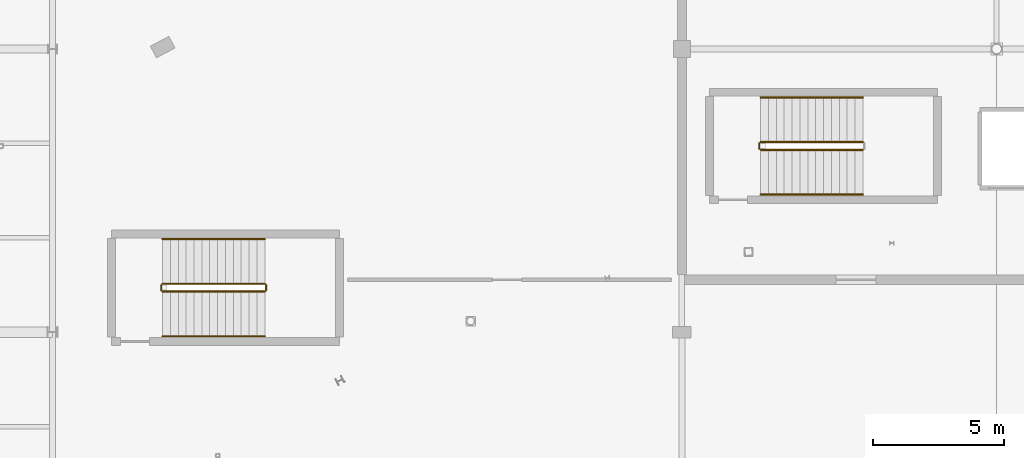
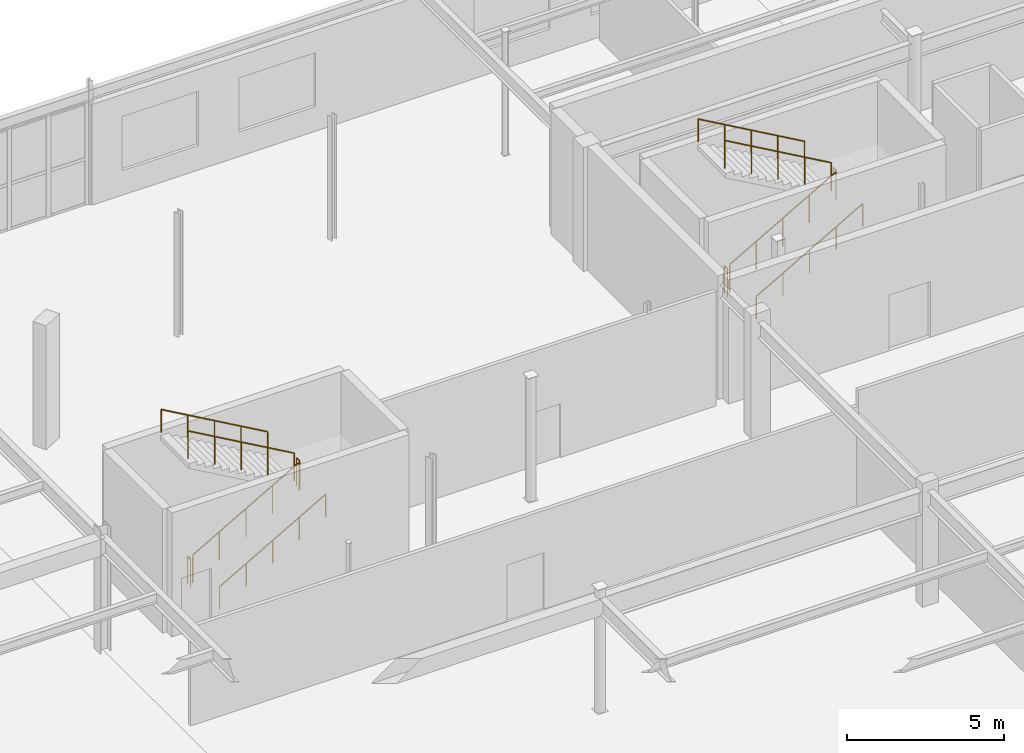
# One storey, part 185 of 199: 11 railings.
"""IFC4 building model written with IfcOpenShell, lengths in metres."""

import ifcopenshell
import ifcopenshell.guid

model = None  # the IFC model being written
_history = None  # IfcOwnerHistory: only IFC2X3 demands one
_inside = {}  # id of a spatial element -> (the spatial element, [elements in it])
_under = {}  # id of a project, library or spatial element -> (it, [spatial elements below it])
_declared = {}  # id of a project -> (the project, [libraries it declares])
_typed = {}  # id of a type object -> (the type object, [elements of that type])
_made_of = {}  # id of a material, layer set ... -> (it, [elements and type objects made of it])


def new_model(schema):
    """Start an empty IFC model of exactly this schema.

    Asked for "IFC4X3", IfcOpenShell would pick the latest addendum, in which some entities
    have other attributes; the version numbers below select the first issue.
    IFC2X3 requires an IfcOwnerHistory on every rooted entity: one is made here for all.
    """
    global model, _history
    if schema == "IFC4X3":
        model = ifcopenshell.file(schema_version=(4, 3, 0, 0))
    else:
        model = ifcopenshell.file(schema=schema)
    _inside.clear()
    _under.clear()
    _declared.clear()
    _typed.clear()
    _made_of.clear()
    _history = None
    if model.schema == "IFC2X3":
        org = make("IfcOrganization", Name="unknown")
        user = make(
            "IfcPersonAndOrganization",
            ThePerson=make("IfcPerson", FamilyName="unknown"),
            TheOrganization=org,
        )
        app = make(
            "IfcApplication",
            ApplicationDeveloper=org,
            Version="unknown",
            ApplicationFullName="unknown",
            ApplicationIdentifier="unknown",
        )
        _history = make(
            "IfcOwnerHistory",
            OwningUser=user,
            OwningApplication=app,
            ChangeAction="ADDED",
            CreationDate=0,
        )
    return model


def make(cls, **values):
    """One entity of the class cls with the attributes given. An attribute that is None is left unset."""
    return model.create_entity(
        cls, **{name: value for name, value in values.items() if value is not None}
    )


def rooted(cls, **values):
    """An entity with a GlobalId (a new one), such as an element, a storey or a relation."""
    return make(cls, GlobalId=ifcopenshell.guid.new(), OwnerHistory=_history, **values)


def si_unit(unit_type, name, prefix=None):
    """IfcSIUnit, for example si_unit("LENGTHUNIT", "METRE", prefix="MILLI")."""
    return make("IfcSIUnit", UnitType=unit_type, Prefix=prefix, Name=name)


def assignment(units):
    """IfcUnitAssignment: the units of a project."""
    return None if units is None else make("IfcUnitAssignment", Units=units)


def point(xyz):
    """IfcCartesianPoint."""
    return None if xyz is None else make("IfcCartesianPoint", Coordinates=xyz)


def direction(xyz):
    """IfcDirection."""
    return None if xyz is None else make("IfcDirection", DirectionRatios=xyz)


def frame(location, z_axis=None, x_axis=None):
    """IfcAxis2Placement3D, a coordinate frame: its origin and axes. An axis left out is left unset."""
    return make(
        "IfcAxis2Placement3D",
        Location=point(location),
        Axis=direction(z_axis),
        RefDirection=direction(x_axis),
    )


def frame_2d(location, x_axis=None):
    """IfcAxis2Placement2D, a coordinate frame in the plane: its origin and x axis."""
    return make(
        "IfcAxis2Placement2D", Location=point(location), RefDirection=direction(x_axis)
    )


def origin():
    """The frame at (0, 0, 0) with its axes left unset."""
    return frame((0.0, 0.0, 0.0))


def origin_2d():
    """The frame at (0, 0) in the plane with its x axis left unset."""
    return frame_2d((0.0, 0.0))


def place(relative_to, where):
    """IfcLocalPlacement: puts the frame where relative to a parent placement (None: the world)."""
    return make(
        "IfcLocalPlacement", PlacementRelTo=relative_to, RelativePlacement=where
    )


def context(
    kind, dimensions, precision=None, world=None, true_north=None, identifier=None
):
    """IfcGeometricRepresentationContext, for example the 3D "Model" context."""
    return make(
        "IfcGeometricRepresentationContext",
        ContextIdentifier=identifier,
        ContextType=kind,
        CoordinateSpaceDimension=dimensions,
        Precision=precision,
        WorldCoordinateSystem=world,
        TrueNorth=true_north,
    )


def subcontext(parent, identifier, kind, view, scale=None):
    """IfcGeometricRepresentationSubContext, for example "Body" below "Model"."""
    return make(
        "IfcGeometricRepresentationSubContext",
        ContextIdentifier=identifier,
        ContextType=kind,
        ParentContext=parent,
        TargetScale=scale,
        TargetView=view,
    )


def project(units=None, contexts=None):
    """IfcProject with its units and contexts."""
    return rooted(
        "IfcProject",
        Name="project",
        RepresentationContexts=contexts,
        UnitsInContext=assignment(units),
    )


def spatial(cls, under=None, at=None, **own):
    """A site, building, storey or space (cls), placed at a placement, below another one or the project."""
    s = rooted(cls, ObjectPlacement=at, **own)
    if under is not None:
        _under.setdefault(under.id(), (under, []))[1].append(s)
    return s


def profile(cls, at=None, kind="AREA", **sizes):
    """A parametric profile (cls). Its sizes go by their IFC names, for example OverallWidth=200.0."""
    return make(cls, ProfileType=kind, Position=at, **sizes)


def circle(**sizes):
    """IfcCircleProfileDef."""
    return profile("IfcCircleProfileDef", **sizes)


def extrude(swept, where, along, depth):
    """IfcExtrudedAreaSolid: the profile swept, set in the frame where, extruded along a direction by depth."""
    return make(
        "IfcExtrudedAreaSolid",
        SweptArea=swept,
        Position=where,
        ExtrudedDirection=direction(along),
        Depth=depth,
    )


def shape(context_of_items, identifier, shape_type, items):
    """IfcShapeRepresentation: the items that make up one representation, for example the "Body"."""
    return make(
        "IfcShapeRepresentation",
        ContextOfItems=context_of_items,
        RepresentationIdentifier=identifier,
        RepresentationType=shape_type,
        Items=items,
    )


def material(Name=None, Category=None):
    """IfcMaterial."""
    return make("IfcMaterial", Name=Name, Category=Category)


def made_of(thing, what):
    """Note that an element or type object is made of a material, layer set ...; save() writes the relation."""
    if what is not None:
        _made_of.setdefault(what.id(), (what, []))[1].append(thing)
    return thing


def type_object(cls, material=None, **own):
    """A type object (cls), such as IfcWallType, which elements share."""
    return made_of(rooted(cls, **own), material)


def element(
    cls,
    number,
    at=None,
    inside=None,
    cuts=None,
    type_object=None,
    material=None,
    context=None,
    identifier="Body",
    shape_type=None,
    held_by="IfcProductDefinitionShape",
    body=None,
    shapes=None,
    **own,
):
    """One element of the class cls, such as IfcWall. Its Tag is "e" and its number.

    at: its placement. inside: the storey or other place that contains it. cuts: it is an
    opening in that element (IfcRelVoidsElement). A single representation is given by context,
    identifier, shape_type and body (its items); several are given by shapes. held_by: the class
    of the entity that holds the representations. save() writes the other relations.
    """
    e = rooted(cls, Tag="e%d" % number, ObjectPlacement=at, **own)
    if body is not None:
        shapes = [shape(context, identifier, shape_type, body)]
    if shapes is not None:
        e.Representation = make(held_by, Representations=shapes)
    if inside is not None:
        _inside.setdefault(inside.id(), (inside, []))[1].append(e)
    if cuts is not None:
        rooted(
            "IfcRelVoidsElement", RelatingBuildingElement=cuts, RelatedOpeningElement=e
        )
    if type_object is not None:
        _typed.setdefault(type_object.id(), (type_object, []))[1].append(e)
    return made_of(e, material)


def aggregate(whole, parts):
    """IfcRelAggregates: a whole, such as a stair, and the parts it consists of."""
    return rooted("IfcRelAggregates", RelatingObject=whole, RelatedObjects=parts)


def save(model, path):
    """Write the relations noted so far, then the file.

    IfcRelAggregates (storeys below a building ...), IfcRelContainedInSpatialStructure (elements
    in a storey), IfcRelDefinesByType, IfcRelAssociatesMaterial and IfcRelDeclares: one each for
    every whole, place, type object, material and project.
    """
    for whole, parts in _under.values():
        aggregate(whole, parts)
    for where, things in _inside.values():
        rooted(
            "IfcRelContainedInSpatialStructure",
            RelatedElements=things,
            RelatingStructure=where,
        )
    for kind, things in _typed.values():
        rooted("IfcRelDefinesByType", RelatedObjects=things, RelatingType=kind)
    for what, things in _made_of.values():
        rooted("IfcRelAssociatesMaterial", RelatedObjects=things, RelatingMaterial=what)
    for by, libraries in _declared.values():
        rooted("IfcRelDeclares", RelatingContext=by, RelatedDefinitions=libraries)
    model.write(path)


model = new_model("IFC4")

# Units and contexts
model_context = context("Model", 3, precision=1e-05, world=origin(), true_north=direction((0.0, 1.0)))
body_context = subcontext(model_context, "Body", "Model", "MODEL_VIEW")
ifc_project = project(units=[si_unit("LENGTHUNIT", "METRE"), si_unit("AREAUNIT", "SQUARE_METRE"), si_unit("VOLUMEUNIT", "CUBIC_METRE"), si_unit("PLANEANGLEUNIT", "RADIAN"), si_unit("MASSUNIT", "GRAM", prefix="KILO")], contexts=[model_context])

# Site, building, storey
site_placement = place(None, origin())
site = spatial("IfcSite", under=ifc_project, at=site_placement, CompositionType="ELEMENT")
building_placement = place(site_placement, origin())
building = spatial("IfcBuilding", under=site, at=building_placement, Name="Tarnwether General Hospital", CompositionType="ELEMENT")
storey_placement = place(building_placement, origin())
storey = spatial("IfcBuildingStorey", under=building, at=storey_placement, Name="L00", CompositionType="ELEMENT", Elevation=0.0)

# Railings
ifc_material_1 = material(Name="Anodised aluminium", Category="aluminium")
railing_type_1 = type_object("IfcRailingType", Name="RL-GRD-INT", PredefinedType="GUARDRAIL", material=ifc_material_1)
railing_1_placement = place(storey_placement, frame((87.0, 111.35009765625, 0.17138671875)))
element("IfcRailing", 1, at=railing_1_placement, inside=storey, type_object=railing_type_1, Name="L00 ST-01 stair guard 1", PredefinedType="GUARDRAIL", context=body_context, shape_type="SweptSolid", body=[
    extrude(circle(Radius=0.02392578125, at=origin_2d()), frame((0.0, 0.0, 1.076171875), z_axis=(0.868243142124, 0.0, 0.496138938357), x_axis=(0.0, 1.0, 0.0)), (0.0, 0.0, 1.0), 4.49169921875),
    extrude(circle(Radius=0.02099609375, at=origin_2d()), origin(), (0.0, 0.0, 1.0), 1.052001953125),
    extrude(circle(Radius=0.02099609375, at=origin_2d()), frame((0.97509765625, 0.0, 0.55712890625)), (0.0, 0.0, 1.0), 1.052001953125),
    extrude(circle(Radius=0.02099609375, at=origin_2d()), frame((1.949951171875, 0.0, 1.1142578125)), (0.0, 0.0, 1.0), 1.052001953125),
    extrude(circle(Radius=0.02099609375, at=origin_2d()), frame((2.9248046875, 0.0, 1.67138671875)), (0.0, 0.0, 1.0), 1.052001953125),
    extrude(circle(Radius=0.02099609375, at=origin_2d()), frame((3.89990234375, 0.0, 2.228515625)), (0.0, 0.0, 1.0), 1.052001953125),
])
railing_2_placement = place(storey_placement, frame((90.89990234375, 111.64990234375, 2.571533203125)))
element("IfcRailing", 2, at=railing_2_placement, inside=storey, type_object=railing_type_1, Name="L00 ST-01 stair guard 3", PredefinedType="GUARDRAIL", context=body_context, shape_type="SweptSolid", body=[
    extrude(circle(Radius=0.02392578125, at=origin_2d()), frame((0.0, 0.0, 1.076171875), z_axis=(-0.868243142124, 0.0, 0.496138938357), x_axis=(0.0, -1.0, 0.0)), (0.0, 0.0, 1.0), 4.49169921875),
    extrude(circle(Radius=0.02099609375, at=origin_2d()), origin(), (0.0, 0.0, 1.0), 1.052001953125),
    extrude(circle(Radius=0.02099609375, at=origin_2d()), frame((-0.97509765625, 0.0, 0.55712890625)), (0.0, 0.0, 1.0), 1.052001953125),
    extrude(circle(Radius=0.02099609375, at=origin_2d()), frame((-1.949951171875, 0.0, 1.1142578125)), (0.0, 0.0, 1.0), 1.052001953125),
    extrude(circle(Radius=0.02099609375, at=origin_2d()), frame((-2.9248046875, 0.0, 1.67138671875)), (0.0, 0.0, 1.0), 1.052001953125),
    extrude(circle(Radius=0.02099609375, at=origin_2d()), frame((-3.89990234375, 0.0, 2.228515625)), (0.0, 0.0, 1.0), 1.052001953125),
])
railing_3_placement = place(storey_placement, frame((86.949951171875, 111.39990234375, 0.0)))
element("IfcRailing", 3, at=railing_3_placement, inside=storey, type_object=railing_type_1, Name="L00 ST-01 stair guard 4", PredefinedType="GUARDRAIL", context=body_context, shape_type="SweptSolid", body=[
    extrude(circle(Radius=0.02392578125, at=origin_2d()), frame((0.0, 0.0, 1.076171875), z_axis=(0.0, 1.0, 0.0), x_axis=(-1.0, 0.0, 0.0)), (0.0, 0.0, 1.0), 0.2001953125),
    extrude(circle(Radius=0.02099609375, at=origin_2d()), origin(), (0.0, 0.0, 1.0), 1.052001953125),
    extrude(circle(Radius=0.02099609375, at=origin_2d()), frame((0.0, 0.2001953125, 0.0)), (0.0, 0.0, 1.0), 1.052001953125),
])
railing_4_placement = place(storey_placement, frame((64.199951171875, 105.949951171875, 0.17138671875)))
element("IfcRailing", 4, at=railing_4_placement, inside=storey, type_object=railing_type_1, Name="L00 ST-07 stair guard 1", PredefinedType="GUARDRAIL", context=body_context, shape_type="SweptSolid", body=[
    extrude(circle(Radius=0.02392578125, at=origin_2d()), frame((0.0, 0.0, 1.076171875), z_axis=(0.868256520506, 0.0, 0.496115525457), x_axis=(0.0, 1.0, 0.0)), (0.0, 0.0, 1.0), 4.491943359375),
    extrude(circle(Radius=0.02099609375, at=origin_2d()), origin(), (0.0, 0.0, 1.0), 1.052001953125),
    extrude(circle(Radius=0.02099609375, at=origin_2d()), frame((0.97509765625, 0.0, 0.55712890625)), (0.0, 0.0, 1.0), 1.052001953125),
    extrude(circle(Radius=0.02099609375, at=origin_2d()), frame((1.9501953125, 0.0, 1.1142578125)), (0.0, 0.0, 1.0), 1.052001953125),
    extrude(circle(Radius=0.02099609375, at=origin_2d()), frame((2.925048828125, 0.0, 1.67138671875)), (0.0, 0.0, 1.0), 1.052001953125),
    extrude(circle(Radius=0.02099609375, at=origin_2d()), frame((3.900146484375, 0.0, 2.228515625)), (0.0, 0.0, 1.0), 1.052001953125),
])
railing_5_placement = place(storey_placement, frame((68.14990234375, 106.0, 2.39990234375)))
element("IfcRailing", 5, at=railing_5_placement, inside=storey, type_object=railing_type_1, Name="L00 ST-07 stair guard 2", PredefinedType="GUARDRAIL", context=body_context, shape_type="SweptSolid", body=[
    extrude(circle(Radius=0.02392578125, at=origin_2d()), frame((0.0, 0.0, 1.076171875), z_axis=(0.0, 1.0, 0.0), x_axis=(-1.0, 0.0, 0.0)), (0.0, 0.0, 1.0), 0.199951171875),
    extrude(circle(Radius=0.02099609375, at=origin_2d()), origin(), (0.0, 0.0, 1.0), 1.052001953125),
    extrude(circle(Radius=0.02099609375, at=origin_2d()), frame((0.0, 0.199951171875, 0.0)), (0.0, 0.0, 1.0), 1.052001953125),
])
railing_6_placement = place(storey_placement, frame((68.10009765625, 106.25, 2.571533203125)))
element("IfcRailing", 6, at=railing_6_placement, inside=storey, type_object=railing_type_1, Name="L00 ST-07 stair guard 3", PredefinedType="GUARDRAIL", context=body_context, shape_type="SweptSolid", body=[
    extrude(circle(Radius=0.02392578125, at=origin_2d()), frame((0.0, 0.0, 1.076171875), z_axis=(-0.868256520506, 0.0, 0.496115525457), x_axis=(0.0, -1.0, 0.0)), (0.0, 0.0, 1.0), 4.491943359375),
    extrude(circle(Radius=0.02099609375, at=origin_2d()), origin(), (0.0, 0.0, 1.0), 1.052001953125),
    extrude(circle(Radius=0.02099609375, at=origin_2d()), frame((-0.97509765625, 0.0, 0.55712890625)), (0.0, 0.0, 1.0), 1.052001953125),
    extrude(circle(Radius=0.02099609375, at=origin_2d()), frame((-1.9501953125, 0.0, 1.1142578125)), (0.0, 0.0, 1.0), 1.052001953125),
    extrude(circle(Radius=0.02099609375, at=origin_2d()), frame((-2.925048828125, 0.0, 1.67138671875)), (0.0, 0.0, 1.0), 1.052001953125),
    extrude(circle(Radius=0.02099609375, at=origin_2d()), frame((-3.900146484375, 0.0, 2.228515625)), (0.0, 0.0, 1.0), 1.052001953125),
])
railing_7_placement = place(storey_placement, frame((64.14990234375, 106.0, 0.0)))
element("IfcRailing", 7, at=railing_7_placement, inside=storey, type_object=railing_type_1, Name="L00 ST-07 stair guard 4", PredefinedType="GUARDRAIL", context=body_context, shape_type="SweptSolid", body=[
    extrude(circle(Radius=0.02392578125, at=origin_2d()), frame((0.0, 0.0, 1.076171875), z_axis=(0.0, 1.0, 0.0), x_axis=(-1.0, 0.0, 0.0)), (0.0, 0.0, 1.0), 0.199951171875),
    extrude(circle(Radius=0.02099609375, at=origin_2d()), origin(), (0.0, 0.0, 1.0), 1.052001953125),
    extrude(circle(Radius=0.02099609375, at=origin_2d()), frame((0.0, 0.199951171875, 0.0)), (0.0, 0.0, 1.0), 1.052001953125),
])
ifc_material_2 = material(Name="Anodised aluminium", Category="aluminium")
railing_type_2 = type_object("IfcRailingType", Name="RL-HND-INT", PredefinedType="HANDRAIL", material=ifc_material_2)
railing_8_placement = place(storey_placement, frame((87.0, 109.64990234375, 0.17138671875)))
element("IfcRailing", 8, at=railing_8_placement, inside=storey, type_object=railing_type_2, Name="L00 ST-01 stair handrail 1", PredefinedType="HANDRAIL", context=body_context, shape_type="SweptSolid", body=[
    extrude(circle(Radius=0.02392578125, at=origin_2d()), frame((0.0, 0.0, 0.8759765625), z_axis=(0.868243142124, 0.0, 0.496138938357), x_axis=(0.0, 1.0, 0.0)), (0.0, 0.0, 1.0), 4.49169921875),
    extrude(circle(Radius=0.02099609375, at=origin_2d()), origin(), (0.0, 0.0, 1.0), 0.851806640625),
    extrude(circle(Radius=0.02099609375, at=origin_2d()), frame((0.97509765625, 0.0, 0.55712890625)), (0.0, 0.0, 1.0), 0.851806640625),
    extrude(circle(Radius=0.02099609375, at=origin_2d()), frame((1.949951171875, 0.0, 1.1142578125)), (0.0, 0.0, 1.0), 0.851806640625),
    extrude(circle(Radius=0.02099609375, at=origin_2d()), frame((2.9248046875, 0.0, 1.67138671875)), (0.0, 0.0, 1.0), 0.851806640625),
    extrude(circle(Radius=0.02099609375, at=origin_2d()), frame((3.89990234375, 0.0, 2.228515625)), (0.0, 0.0, 1.0), 0.851806640625),
])
railing_9_placement = place(storey_placement, frame((90.89990234375, 113.35009765625, 2.571533203125)))
element("IfcRailing", 9, at=railing_9_placement, inside=storey, type_object=railing_type_2, Name="L00 ST-01 stair handrail 2", PredefinedType="HANDRAIL", context=body_context, shape_type="SweptSolid", body=[
    extrude(circle(Radius=0.02392578125, at=origin_2d()), frame((0.0, 0.0, 0.8759765625), z_axis=(-0.868243142124, 0.0, 0.496138938357), x_axis=(0.0, -1.0, 0.0)), (0.0, 0.0, 1.0), 4.49169921875),
    extrude(circle(Radius=0.02099609375, at=origin_2d()), origin(), (0.0, 0.0, 1.0), 0.851806640625),
    extrude(circle(Radius=0.02099609375, at=origin_2d()), frame((-0.97509765625, 0.0, 0.55712890625)), (0.0, 0.0, 1.0), 0.851806640625),
    extrude(circle(Radius=0.02099609375, at=origin_2d()), frame((-1.949951171875, 0.0, 1.1142578125)), (0.0, 0.0, 1.0), 0.851806640625),
    extrude(circle(Radius=0.02099609375, at=origin_2d()), frame((-2.9248046875, 0.0, 1.67138671875)), (0.0, 0.0, 1.0), 0.851806640625),
    extrude(circle(Radius=0.02099609375, at=origin_2d()), frame((-3.89990234375, 0.0, 2.228515625)), (0.0, 0.0, 1.0), 0.851806640625),
])
railing_10_placement = place(storey_placement, frame((64.199951171875, 104.25, 0.17138671875)))
element("IfcRailing", 10, at=railing_10_placement, inside=storey, type_object=railing_type_2, Name="L00 ST-07 stair handrail 1", PredefinedType="HANDRAIL", context=body_context, shape_type="SweptSolid", body=[
    extrude(circle(Radius=0.02392578125, at=origin_2d()), frame((0.0, 0.0, 0.8759765625), z_axis=(0.868256520506, 0.0, 0.496115525457), x_axis=(0.0, 1.0, 0.0)), (0.0, 0.0, 1.0), 4.491943359375),
    extrude(circle(Radius=0.02099609375, at=origin_2d()), origin(), (0.0, 0.0, 1.0), 0.851806640625),
    extrude(circle(Radius=0.02099609375, at=origin_2d()), frame((0.97509765625, 0.0, 0.55712890625)), (0.0, 0.0, 1.0), 0.851806640625),
    extrude(circle(Radius=0.02099609375, at=origin_2d()), frame((1.9501953125, 0.0, 1.1142578125)), (0.0, 0.0, 1.0), 0.851806640625),
    extrude(circle(Radius=0.02099609375, at=origin_2d()), frame((2.925048828125, 0.0, 1.67138671875)), (0.0, 0.0, 1.0), 0.851806640625),
    extrude(circle(Radius=0.02099609375, at=origin_2d()), frame((3.900146484375, 0.0, 2.228515625)), (0.0, 0.0, 1.0), 0.851806640625),
])
railing_11_placement = place(storey_placement, frame((68.10009765625, 107.949951171875, 2.571533203125)))
element("IfcRailing", 11, at=railing_11_placement, inside=storey, type_object=railing_type_2, Name="L00 ST-07 stair handrail 2", PredefinedType="HANDRAIL", context=body_context, shape_type="SweptSolid", body=[
    extrude(circle(Radius=0.02392578125, at=origin_2d()), frame((0.0, 0.0, 0.8759765625), z_axis=(-0.868256520506, 0.0, 0.496115525457), x_axis=(0.0, -1.0, 0.0)), (0.0, 0.0, 1.0), 4.491943359375),
    extrude(circle(Radius=0.02099609375, at=origin_2d()), origin(), (0.0, 0.0, 1.0), 0.851806640625),
    extrude(circle(Radius=0.02099609375, at=origin_2d()), frame((-0.97509765625, 0.0, 0.55712890625)), (0.0, 0.0, 1.0), 0.851806640625),
    extrude(circle(Radius=0.02099609375, at=origin_2d()), frame((-1.9501953125, 0.0, 1.1142578125)), (0.0, 0.0, 1.0), 0.851806640625),
    extrude(circle(Radius=0.02099609375, at=origin_2d()), frame((-2.925048828125, 0.0, 1.67138671875)), (0.0, 0.0, 1.0), 0.851806640625),
    extrude(circle(Radius=0.02099609375, at=origin_2d()), frame((-3.900146484375, 0.0, 2.228515625)), (0.0, 0.0, 1.0), 0.851806640625),
])

save(model, "model.ifc")
